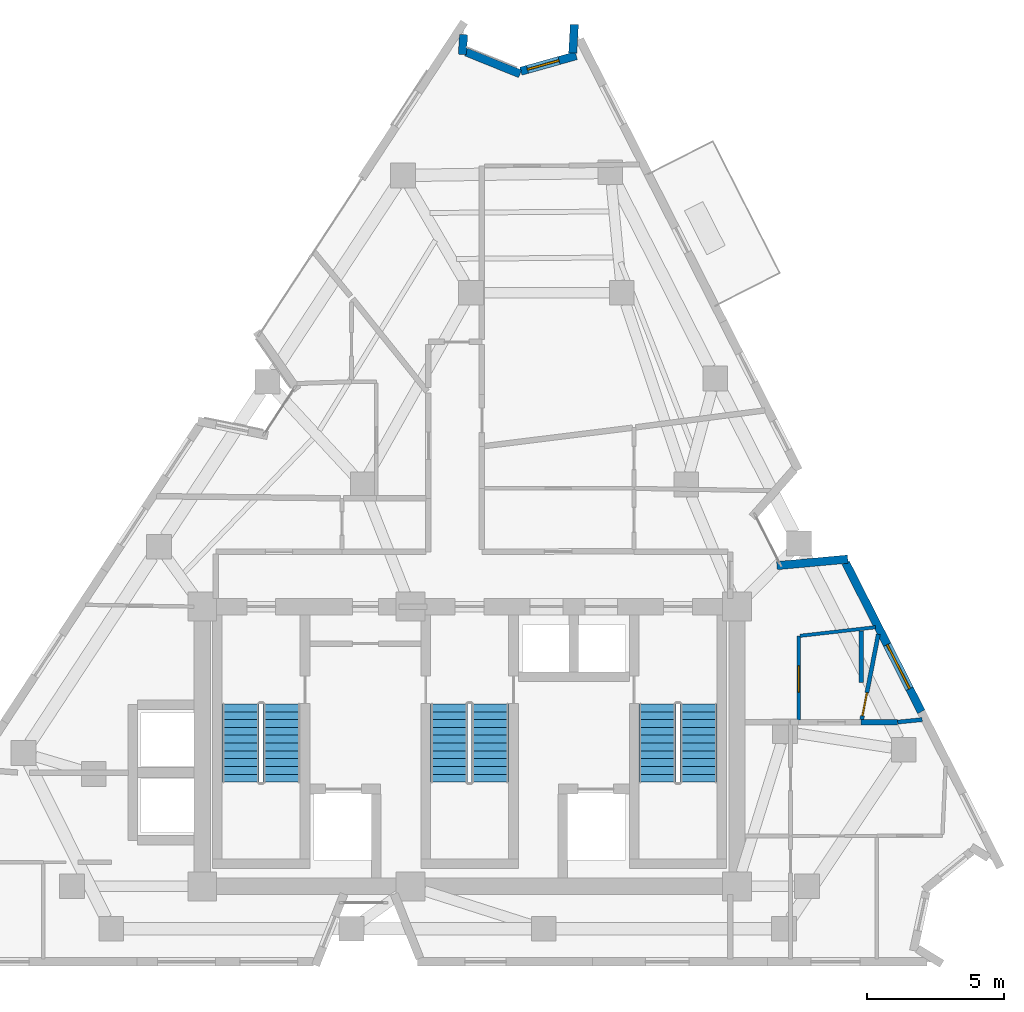
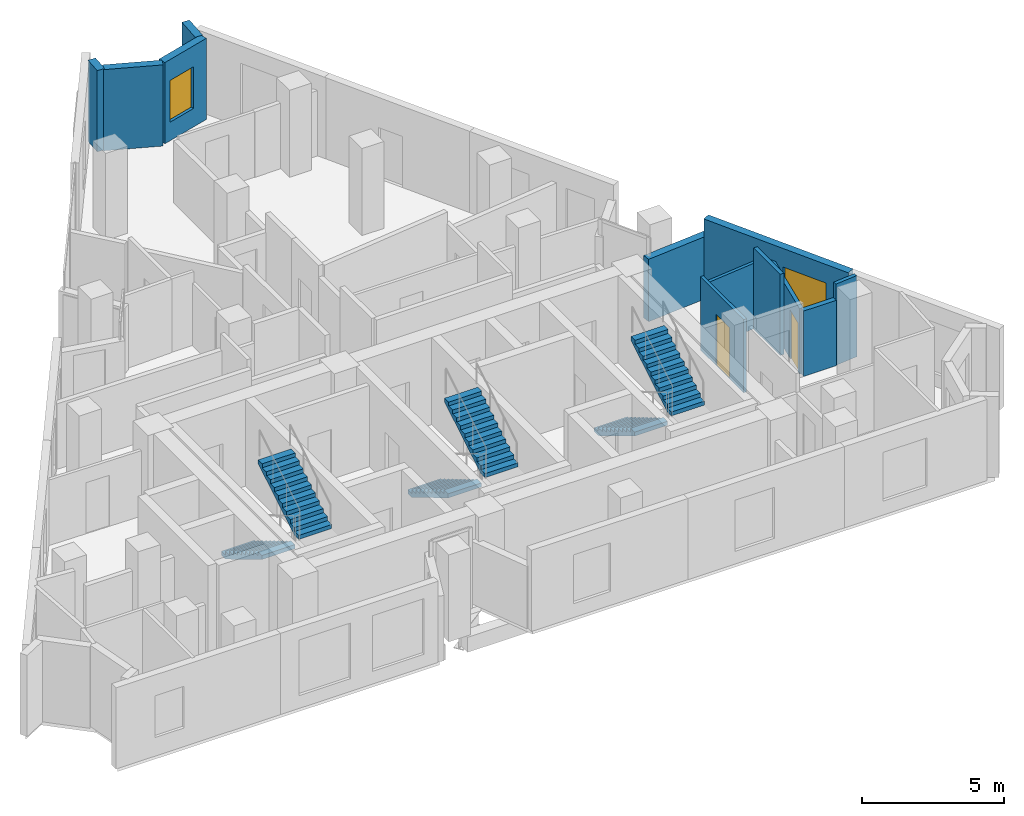
# One storey, part 8 of 9: 12 walls, 6 stair flights, 2 doors, 2 windows, 4 openings, 3 elements without a shape of their own.
"""IFC4 building model written with IfcOpenShell, lengths in metres."""

from ifc_helpers import new_model, si_unit, direction, frame, frame_2d, origin, place, context, subcontext, project, spatial, polyline, rectangle, outline, extrude, material, layer, layer_set, type_object, element, fill, aggregate, save


model = new_model("IFC4")

# Units and contexts
model_context = context("Model", 3, precision=1e-05, world=origin(), true_north=direction((0.0, 1.0)))
body_context = subcontext(model_context, "Body", "Model", "MODEL_VIEW")
ifc_project = project(units=[si_unit("LENGTHUNIT", "METRE"), si_unit("AREAUNIT", "SQUARE_METRE"), si_unit("VOLUMEUNIT", "CUBIC_METRE"), si_unit("PLANEANGLEUNIT", "RADIAN"), si_unit("MASSUNIT", "GRAM", prefix="KILO")], contexts=[model_context])

# Site, building, storey
site_placement = place(None, origin())
site = spatial("IfcSite", under=ifc_project, at=site_placement, CompositionType="ELEMENT")
building_placement = place(site_placement, origin())
building = spatial("IfcBuilding", under=site, at=building_placement, Name="Almagre Mirador Tower", CompositionType="ELEMENT")
storey_placement = place(building_placement, frame((0.0, 0.0, 237.0)))
storey = spatial("IfcBuildingStorey", under=building, at=storey_placement, Name="L61", CompositionType="ELEMENT", Elevation=237.0)

# Walls
ifc_material_1 = material(Name="Precast concrete C50/60", Category="concrete")
ifc_layer_1 = layer(ifc_material_1, 0.300048828125)
ifc_layer_set_1 = layer_set([ifc_layer_1], Name="Precast concrete C50/60")
wall_type_1 = type_object("IfcWallType", Name="WAL-EXT-300", PredefinedType="SOLIDWALL", material=ifc_layer_set_1)
wall_1_placement = place(storey_placement, frame((37.078857421875, 35.607666015625, 0.0), z_axis=(0.0, 0.0, 1.0), x_axis=(-0.056196862548, -0.998419707658, 0.0)))
element("IfcWall", 1, at=wall_1_placement, inside=storey, type_object=wall_type_1, Name="L61 expressed almagre precast frame wall 04", PredefinedType="SOLIDWALL", context=body_context, shape_type="SweptSolid", body=[
    extrude(rectangle(XDim=0.7255859375, YDim=0.300048828125, at=frame_2d((0.36279296875, 0.0))), origin(), (0.0, 0.0, 1.0), 3.5),
])
wall_2_placement = place(storey_placement, frame((37.171142578125, 34.972412109375, 0.0), z_axis=(0.0, 0.0, 1.0), x_axis=(0.927076098221, -0.37487318937, 0.0)))
element("IfcWall", 2, at=wall_2_placement, inside=storey, type_object=wall_type_1, Name="L61 expressed almagre precast frame wall 05", PredefinedType="SOLIDWALL", context=body_context, shape_type="SweptSolid", body=[
    extrude(rectangle(XDim=2.125732421875, YDim=0.300048828125, at=frame_2d((1.06298828125, 0.0))), origin(), (0.0, 0.0, 1.0), 3.5),
])

# Wall, opening, window
wall_3_placement = place(storey_placement, frame((39.166015625, 34.27099609375, 0.0), z_axis=(0.0, 0.0, 1.0), x_axis=(0.962897602702, 0.269867016714, 0.0)))
wall_3 = element("IfcWall", 3, at=wall_3_placement, inside=storey, type_object=wall_type_1, Name="L61 expressed almagre precast frame wall 06", PredefinedType="SOLIDWALL", context=body_context, shape_type="SweptSolid", body=[
    extrude(rectangle(XDim=2.1005859375, YDim=0.300048828125, at=frame_2d((1.05029296875, 0.0))), origin(), (0.0, 0.0, 1.0), 3.5),
])
opening_1_placement = place(wall_3_placement, frame((0.25, 0.0, 0.800048828125)))
opening_1 = element("IfcOpeningElement", 4, at=opening_1_placement, cuts=wall_3, Name="Opening WN-04", PredefinedType="OPENING", context=body_context, shape_type="SweptSolid", body=[
    extrude(rectangle(XDim=1.199951171875, YDim=1.800048828125, at=frame_2d((0.60009765625, 0.89990234375))), frame((0.0, 0.159902, 0.0), z_axis=(0.0, -1.0, 0.0), x_axis=(1.0, 0.0, 0.0)), (0.0, 0.0, 1.0), 0.320049),
])
ifc_material_2 = material(Name="Dark solar-control laminated hurricane glass", Category="glass")
window_type_1 = type_object("IfcWindowType", Name="WIN-1200X1800", PartitioningType="SINGLE_PANEL", PredefinedType="WINDOW", material=ifc_material_2)
window_1_placement = place(opening_1_placement, origin())
window_1 = element("IfcWindow", 5, at=window_1_placement, inside=storey, type_object=window_type_1, Name="L61 recessed hurricane window L61-UK-KT", OverallHeight=1.800048828125, OverallWidth=1.199951171875, PartitioningType="SINGLE_PANEL", PredefinedType="WINDOW", context=body_context, shape_type="SweptSolid", body=[
    extrude(rectangle(XDim=1.199951171875, YDim=1.800048828125, at=frame_2d((0.60009765625, 0.89990234375))), frame((0.0, 0.030029296875, 0.0), z_axis=(0.0, -1.0, 0.0), x_axis=(1.0, 0.0, 0.0)), (0.0, 0.0, 1.0), 0.06005859375),
])
fill(opening_1, window_1)

# Walls
wall_4_placement = place(storey_placement, frame((41.0615234375, 34.934814453125, 0.0), z_axis=(0.0, 0.0, 1.0), x_axis=(0.056067679965, 0.998426970421, 0.0)))
element("IfcWall", 6, at=wall_4_placement, inside=storey, type_object=wall_type_1, Name="L61 expressed almagre precast frame wall 07", PredefinedType="SOLIDWALL", context=body_context, shape_type="SweptSolid", body=[
    extrude(rectangle(XDim=1.040771484375, YDim=0.300048828125, at=frame_2d((0.5205078125, 0.0))), origin(), (0.0, 0.0, 1.0), 3.5),
])
wall_5_placement = place(storey_placement, frame((48.505615234375, 16.244140625, 0.0), z_axis=(0.0, 0.0, 1.0), x_axis=(0.995796977709, 0.091588095218, 0.0)))
element("IfcWall", 7, at=wall_5_placement, inside=storey, type_object=wall_type_1, Name="L61 expressed almagre precast frame wall 12", PredefinedType="SOLIDWALL", context=body_context, shape_type="SweptSolid", body=[
    extrude(rectangle(XDim=2.59375, YDim=0.300048828125, at=frame_2d((1.296875, 0.0))), origin(), (0.0, 0.0, 1.0), 2.68994140625),
])

# Wall, opening, window
wall_6_placement = place(storey_placement, frame((51.010009765625, 16.3486328125, 0.0), z_axis=(0.0, 0.0, 1.0), x_axis=(0.452847757291, -0.891587858103, 0.0)))
wall_6 = element("IfcWall", 8, at=wall_6_placement, inside=storey, type_object=wall_type_1, Name="L61 expressed almagre precast frame wall 13", PredefinedType="SOLIDWALL", context=body_context, shape_type="SweptSolid", body=[
    extrude(rectangle(XDim=6.091552734375, YDim=0.300048828125, at=frame_2d((3.0458984375, 0.0))), origin(), (0.0, 0.0, 1.0), 3.5),
])
opening_2_placement = place(wall_6_placement, frame((3.35009765625, 0.0, 0.60009765625)))
opening_2 = element("IfcOpeningElement", 9, at=opening_2_placement, cuts=wall_6, Name="Opening WN-01", PredefinedType="OPENING", context=body_context, shape_type="SweptSolid", body=[
    extrude(rectangle(XDim=1.800048828125, YDim=2.10009765625, at=frame_2d((0.89990234375, 1.050048828125))), frame((0.0, 0.159902, 0.0), z_axis=(0.0, -1.0, 0.0), x_axis=(1.0, 0.0, 0.0)), (0.0, 0.0, 1.0), 0.320049),
])
ifc_material_3 = material(Name="Dark solar-control laminated hurricane glass", Category="glass")
window_type_2 = type_object("IfcWindowType", Name="WIN-1800X2100", PartitioningType="DOUBLE_PANEL_VERTICAL", PredefinedType="WINDOW", material=ifc_material_3)
window_2_placement = place(opening_2_placement, origin())
window_2 = element("IfcWindow", 10, at=window_2_placement, inside=storey, type_object=window_type_2, Name="L61 recessed hurricane window L61-UE-BT", OverallHeight=2.10009765625, OverallWidth=1.800048828125, PartitioningType="SINGLE_PANEL", PredefinedType="WINDOW", context=body_context, shape_type="SweptSolid", body=[
    extrude(rectangle(XDim=1.800048828125, YDim=2.10009765625, at=frame_2d((0.89990234375, 1.050048828125))), frame((0.0, 0.030029296875, 0.0), z_axis=(0.0, -1.0, 0.0), x_axis=(1.0, 0.0, 0.0)), (0.0, 0.0, 1.0), 0.06005859375),
])
fill(opening_2, window_2)

# Wall, opening, door
ifc_material_4 = material(Name="Gypsum acoustic stud partition", Category="other")
ifc_layer_2 = layer(ifc_material_4, 0.125)
ifc_layer_set_2 = layer_set([ifc_layer_2], Name="Gypsum acoustic stud partition")
wall_type_2 = type_object("IfcWallType", Name="WAL-PRT-125-UTL", PredefinedType="PARTITIONING", material=ifc_layer_set_2)
wall_7_placement = place(storey_placement, frame((49.300048828125, 10.625, 0.0), z_axis=(0.0, 0.0, 1.0), x_axis=(0.0, 1.0, 0.0)))
wall_7 = element("IfcWall", 11, at=wall_7_placement, inside=storey, type_object=wall_type_2, Name="L61 interior partition 042", PredefinedType="PARTITIONING", context=body_context, shape_type="SweptSolid", body=[
    extrude(rectangle(XDim=3.054931640625, YDim=0.125, at=frame_2d((1.52734375, 0.0))), origin(), (0.0, 0.0, 1.0), 3.159912109375),
])
opening_3_placement = place(wall_7_placement, frame((1.010009765625, 0.0, 0.0)))
opening_3 = element("IfcOpeningElement", 12, at=opening_3_placement, cuts=wall_7, Name="Opening UD-01", PredefinedType="OPENING", context=body_context, shape_type="SweptSolid", body=[
    extrude(rectangle(XDim=0.949951171875, YDim=2.199951171875, at=frame_2d((0.47509765625, 1.10009765625))), frame((0.0, 0.0725, 0.0), z_axis=(0.0, -1.0, 0.0), x_axis=(1.0, 0.0, 0.0)), (0.0, 0.0, 1.0), 0.145),
])
ifc_material_5 = material(Name="Solid American walnut timber", Category="wood")
door_type_1 = type_object("IfcDoorType", Name="DOR-UNR-950X2200", OperationType="NOTDEFINED", PredefinedType="DOOR", material=ifc_material_5)
door_1_placement = place(opening_3_placement, origin())
door_1 = element("IfcDoor", 13, at=door_1_placement, inside=storey, type_object=door_type_1, Name="DR-1890 L61 interior door L61-UE-ST to L61-UE-KT", OperationType="SINGLE_SWING_RIGHT", OverallHeight=2.199951171875, OverallWidth=0.949951171875, PredefinedType="DOOR", context=body_context, shape_type="SweptSolid", body=[
    extrude(rectangle(XDim=0.949951171875, YDim=2.199951171875, at=frame_2d((0.47509765625, 1.10009765625))), frame((0.0, 0.02490234375, 0.0), z_axis=(0.0, -1.0, 0.0), x_axis=(1.0, 0.0, 0.0)), (0.0, 0.0, 1.0), 0.050048828125),
])
fill(opening_3, door_1)

# Wall
wall_8_placement = place(storey_placement, frame((49.34716796875, 13.685302734375, 0.0), z_axis=(0.0, 0.0, 1.0), x_axis=(0.993613337674, 0.112838535954, 0.0)))
element("IfcWall", 14, at=wall_8_placement, inside=storey, type_object=wall_type_2, Name="L61 interior partition 043", PredefinedType="PARTITIONING", context=body_context, shape_type="SweptSolid", body=[
    extrude(rectangle(XDim=2.771728515625, YDim=0.125, at=frame_2d((1.3857421875, 0.0))), origin(), (0.0, 0.0, 1.0), 2.820068359375),
])

# Wall, opening, door
ifc_material_6 = material(Name="Gypsum acoustic stud partition", Category="other")
ifc_layer_3 = layer(ifc_material_6, 0.14990234375)
ifc_layer_set_3 = layer_set([ifc_layer_3], Name="Gypsum acoustic stud partition")
wall_type_3 = type_object("IfcWallType", Name="WAL-PRT-150-STD", PredefinedType="PARTITIONING", material=ifc_layer_set_3)
wall_9_placement = place(storey_placement, frame((51.59521484375, 10.62353515625, 0.0), z_axis=(0.0, 0.0, 1.0), x_axis=(0.190970447777, 0.981595786501, 0.0)))
wall_9 = element("IfcWall", 15, at=wall_9_placement, inside=storey, type_object=wall_type_3, Name="L61 interior partition 044", PredefinedType="PARTITIONING", context=body_context, shape_type="SweptSolid", body=[
    extrude(rectangle(XDim=3.1767578125, YDim=0.14990234375, at=frame_2d((1.58837890625, 0.0))), origin(), (0.0, 0.0, 1.0), 2.820068359375),
])
opening_4_placement = place(wall_9_placement, frame((0.154296875, 0.0, 0.0)))
opening_4 = element("IfcOpeningElement", 16, at=opening_4_placement, cuts=wall_9, Name="Opening UD-04", PredefinedType="OPENING", context=body_context, shape_type="SweptSolid", body=[
    extrude(rectangle(XDim=0.85009765625, YDim=2.10009765625, at=frame_2d((0.425048828125, 1.050048828125))), frame((0.0, 0.084951, 0.0), z_axis=(0.0, -1.0, 0.0), x_axis=(1.0, 0.0, 0.0)), (0.0, 0.0, 1.0), 0.169902),
])
ifc_material_7 = material(Name="Moisture-resistant oak timber", Category="wood")
door_type_2 = type_object("IfcDoorType", Name="DOR-UNR-850X2100", OperationType="NOTDEFINED", PredefinedType="DOOR", material=ifc_material_7)
door_2_placement = place(opening_4_placement, origin())
door_2 = element("IfcDoor", 17, at=door_2_placement, inside=storey, type_object=door_type_2, Name="DR-1891 L61 interior door L61-UE-KT to L61-UE-BT", OperationType="SINGLE_SWING_LEFT", OverallHeight=2.10009765625, OverallWidth=0.85009765625, PredefinedType="DOOR", context=body_context, shape_type="SweptSolid", body=[
    extrude(rectangle(XDim=0.85009765625, YDim=2.10009765625, at=frame_2d((0.425048828125, 1.050048828125))), frame((0.0, 0.02490234375, 0.0), z_axis=(0.0, -1.0, 0.0), x_axis=(1.0, 0.0, 0.0)), (0.0, 0.0, 1.0), 0.050048828125),
])
fill(opening_4, door_2)

# Walls
wall_10_placement = place(storey_placement, frame((52.909912109375, 10.5400390625, 0.0), z_axis=(0.0, 0.0, 1.0), x_axis=(0.994977766191, 0.100096177681, 0.0)))
element("IfcWall", 18, at=wall_10_placement, inside=storey, type_object=wall_type_3, Name="L61 interior partition 066", PredefinedType="PARTITIONING", context=body_context, shape_type="SweptSolid", body=[
    extrude(rectangle(XDim=0.8974609375, YDim=0.14990234375, at=frame_2d((0.44873046875, 0.0))), origin(), (0.0, 0.0, 1.0), 3.5),
])
wall_11_placement = place(storey_placement, frame((51.580078125, 11.974853515625, 0.0), z_axis=(0.0, 0.0, 1.0), x_axis=(0.0, 1.0, 0.0)))
element("IfcWall", 19, at=wall_11_placement, inside=storey, type_object=wall_type_3, Name="L61 interior partition 901", PredefinedType="PARTITIONING", context=body_context, shape_type="SweptSolid", body=[
    extrude(rectangle(XDim=1.879638671875, YDim=0.14990234375, at=frame_2d((0.93994140625, 0.0))), origin(), (0.0, 0.0, 1.0), 3.5),
])
ifc_material_8 = material(Name="Gypsum acoustic stud partition", Category="other")
ifc_layer_4 = layer(ifc_material_8, 0.199951171875)
ifc_layer_set_4 = layer_set([ifc_layer_4], Name="Gypsum acoustic stud partition")
wall_type_4 = type_object("IfcWallType", Name="WAL-PRT-200-EI60", PredefinedType="PARTITIONING", material=ifc_layer_set_4)
wall_12_placement = place(storey_placement, frame((52.909912109375, 10.5400390625, 0.0), z_axis=(0.0, 0.0, 1.0), x_axis=(-1.0, 0.0, 0.0)))
element("IfcWall", 20, at=wall_12_placement, inside=storey, type_object=wall_type_4, Name="L61 interior partition 032", PredefinedType="PARTITIONING", context=body_context, shape_type="SweptSolid", body=[
    extrude(rectangle(XDim=1.329833984375, YDim=0.199951171875, at=frame_2d((0.6650390625, 0.0))), origin(), (0.0, 0.0, 1.0), 2.820068359375),
])

# Stair, stair flights
ifc_material_9 = material(Name="Concrete C45/55", Category="concrete")
stair_type = type_object("IfcStairType", Name="STR-DL-3750", PredefinedType="HALF_TURN_STAIR", material=ifc_material_9)
stair_1_placement = place(storey_placement, origin())
stair_1 = element("IfcStair", 21, at=stair_1_placement, inside=storey, type_object=stair_type, Name="L61 Protected exit stair ST-1", PredefinedType="HALF_TURN_STAIR")
ifc_material_10 = material(Name="Concrete C45/55", Category="concrete")
stair_flight_type = type_object("IfcStairFlightType", Name="FLT-DL-3750", PredefinedType="STRAIGHT", material=ifc_material_10)
stair_flight_1_placement = place(storey_placement, frame((28.949951171875, 11.199951171875, 0.0), z_axis=(0.0, 0.0, 1.0), x_axis=(0.0, -1.0, 0.0)))
stair_flight_1 = element("IfcStairFlight", 22, at=stair_flight_1_placement, type_object=stair_flight_type, Name="ST-1 flight 1", NumberOfRisers=11, NumberOfTreads=10, PredefinedType="STRAIGHT", RiserHeight=0.170454545, TreadLength=0.285, context=body_context, shape_type="SweptSolid", body=[
    extrude(outline(polyline([(0.0, 0.0), (0.0, 0.17041015625), (0.284912109375, 0.17041015625), (0.284912109375, 0.3408203125), (0.570068359375, 0.3408203125), (0.570068359375, 0.511474609375), (0.85498046875, 0.511474609375), (0.85498046875, 0.681884765625), (1.139892578125, 0.681884765625), (1.139892578125, 0.852294921875), (1.425048828125, 0.852294921875), (1.425048828125, 1.022705078125), (1.7099609375, 1.022705078125), (1.7099609375, 1.193115234375), (1.9951171875, 1.193115234375), (1.9951171875, 1.363525390625), (2.280029296875, 1.363525390625), (2.280029296875, 1.5341796875), (2.56494140625, 1.5341796875), (2.56494140625, 1.70458984375), (2.85009765625, 1.70458984375), (2.85009765625, 1.875), (2.85009765625, 1.52978515625), (0.2919921875, 0.0), (0.0, 0.0)])), frame((0.0, 0.675048828125, 0.0), z_axis=(0.0, -1.0, 0.0), x_axis=(1.0, 0.0, 0.0)), (0.0, 0.0, 1.0), 1.35009765625),
])
stair_flight_2_placement = place(storey_placement, frame((30.449951171875, 8.35009765625, 1.875), z_axis=(0.0, 0.0, 1.0), x_axis=(0.0, 1.0, 0.0)))
stair_flight_2 = element("IfcStairFlight", 23, at=stair_flight_2_placement, type_object=stair_flight_type, Name="ST-1 flight 2", NumberOfRisers=11, NumberOfTreads=10, PredefinedType="STRAIGHT", RiserHeight=0.170454545, TreadLength=0.285, context=body_context, shape_type="SweptSolid", body=[
    extrude(outline(polyline([(0.0, 0.0), (0.0, 0.17041015625), (0.284912109375, 0.17041015625), (0.284912109375, 0.3408203125), (0.570068359375, 0.3408203125), (0.570068359375, 0.511474609375), (0.85498046875, 0.511474609375), (0.85498046875, 0.681884765625), (1.139892578125, 0.681884765625), (1.139892578125, 0.852294921875), (1.425048828125, 0.852294921875), (1.425048828125, 1.022705078125), (1.7099609375, 1.022705078125), (1.7099609375, 1.193115234375), (1.9951171875, 1.193115234375), (1.9951171875, 1.363525390625), (2.280029296875, 1.363525390625), (2.280029296875, 1.5341796875), (2.56494140625, 1.5341796875), (2.56494140625, 1.70458984375), (2.85009765625, 1.70458984375), (2.85009765625, 1.875), (2.85009765625, 1.52978515625), (0.2919921875, 0.0), (0.0, 0.0)])), frame((0.0, 0.675048828125, 0.0), z_axis=(0.0, -1.0, 0.0), x_axis=(1.0, 0.0, 0.0)), (0.0, 0.0, 1.0), 1.35009765625),
])
aggregate(stair_1, [stair_flight_1, stair_flight_2])

stair_2_placement = place(storey_placement, origin())
stair_2 = element("IfcStair", 24, at=stair_2_placement, inside=storey, type_object=stair_type, Name="L61 Protected exit stair ST-2", PredefinedType="HALF_TURN_STAIR")
stair_flight_3_placement = place(storey_placement, frame((36.550048828125, 11.199951171875, 0.0), z_axis=(0.0, 0.0, 1.0), x_axis=(0.0, -1.0, 0.0)))
stair_flight_3 = element("IfcStairFlight", 25, at=stair_flight_3_placement, type_object=stair_flight_type, Name="ST-2 flight 1", NumberOfRisers=11, NumberOfTreads=10, PredefinedType="STRAIGHT", RiserHeight=0.170454545, TreadLength=0.285, context=body_context, shape_type="SweptSolid", body=[
    extrude(outline(polyline([(0.0, 0.0), (0.0, 0.17041015625), (0.284912109375, 0.17041015625), (0.284912109375, 0.3408203125), (0.570068359375, 0.3408203125), (0.570068359375, 0.511474609375), (0.85498046875, 0.511474609375), (0.85498046875, 0.681884765625), (1.139892578125, 0.681884765625), (1.139892578125, 0.852294921875), (1.425048828125, 0.852294921875), (1.425048828125, 1.022705078125), (1.7099609375, 1.022705078125), (1.7099609375, 1.193115234375), (1.9951171875, 1.193115234375), (1.9951171875, 1.363525390625), (2.280029296875, 1.363525390625), (2.280029296875, 1.5341796875), (2.56494140625, 1.5341796875), (2.56494140625, 1.70458984375), (2.85009765625, 1.70458984375), (2.85009765625, 1.875), (2.85009765625, 1.52978515625), (0.2919921875, 0.0), (0.0, 0.0)])), frame((0.0, 0.675048828125, 0.0), z_axis=(0.0, -1.0, 0.0), x_axis=(1.0, 0.0, 0.0)), (0.0, 0.0, 1.0), 1.35009765625),
])
stair_flight_4_placement = place(storey_placement, frame((38.050048828125, 8.35009765625, 1.875), z_axis=(0.0, 0.0, 1.0), x_axis=(0.0, 1.0, 0.0)))
stair_flight_4 = element("IfcStairFlight", 26, at=stair_flight_4_placement, type_object=stair_flight_type, Name="ST-2 flight 2", NumberOfRisers=11, NumberOfTreads=10, PredefinedType="STRAIGHT", RiserHeight=0.170454545, TreadLength=0.285, context=body_context, shape_type="SweptSolid", body=[
    extrude(outline(polyline([(0.0, 0.0), (0.0, 0.17041015625), (0.284912109375, 0.17041015625), (0.284912109375, 0.3408203125), (0.570068359375, 0.3408203125), (0.570068359375, 0.511474609375), (0.85498046875, 0.511474609375), (0.85498046875, 0.681884765625), (1.139892578125, 0.681884765625), (1.139892578125, 0.852294921875), (1.425048828125, 0.852294921875), (1.425048828125, 1.022705078125), (1.7099609375, 1.022705078125), (1.7099609375, 1.193115234375), (1.9951171875, 1.193115234375), (1.9951171875, 1.363525390625), (2.280029296875, 1.363525390625), (2.280029296875, 1.5341796875), (2.56494140625, 1.5341796875), (2.56494140625, 1.70458984375), (2.85009765625, 1.70458984375), (2.85009765625, 1.875), (2.85009765625, 1.52978515625), (0.2919921875, 0.0), (0.0, 0.0)])), frame((0.0, 0.675048828125, 0.0), z_axis=(0.0, -1.0, 0.0), x_axis=(1.0, 0.0, 0.0)), (0.0, 0.0, 1.0), 1.35009765625),
])
aggregate(stair_2, [stair_flight_3, stair_flight_4])

stair_3_placement = place(storey_placement, origin())
stair_3 = element("IfcStair", 27, at=stair_3_placement, inside=storey, type_object=stair_type, Name="L61 Protected exit stair ST-3", PredefinedType="HALF_TURN_STAIR")
stair_flight_5_placement = place(storey_placement, frame((44.14990234375, 11.199951171875, 0.0), z_axis=(0.0, 0.0, 1.0), x_axis=(0.0, -1.0, 0.0)))
stair_flight_5 = element("IfcStairFlight", 28, at=stair_flight_5_placement, type_object=stair_flight_type, Name="ST-3 flight 1", NumberOfRisers=11, NumberOfTreads=10, PredefinedType="STRAIGHT", RiserHeight=0.170454545, TreadLength=0.285, context=body_context, shape_type="SweptSolid", body=[
    extrude(outline(polyline([(0.0, 0.0), (0.0, 0.17041015625), (0.284912109375, 0.17041015625), (0.284912109375, 0.3408203125), (0.570068359375, 0.3408203125), (0.570068359375, 0.511474609375), (0.85498046875, 0.511474609375), (0.85498046875, 0.681884765625), (1.139892578125, 0.681884765625), (1.139892578125, 0.852294921875), (1.425048828125, 0.852294921875), (1.425048828125, 1.022705078125), (1.7099609375, 1.022705078125), (1.7099609375, 1.193115234375), (1.9951171875, 1.193115234375), (1.9951171875, 1.363525390625), (2.280029296875, 1.363525390625), (2.280029296875, 1.5341796875), (2.56494140625, 1.5341796875), (2.56494140625, 1.70458984375), (2.85009765625, 1.70458984375), (2.85009765625, 1.875), (2.85009765625, 1.52978515625), (0.2919921875, 0.0), (0.0, 0.0)])), frame((0.0, 0.675048828125, 0.0), z_axis=(0.0, -1.0, 0.0), x_axis=(1.0, 0.0, 0.0)), (0.0, 0.0, 1.0), 1.35009765625),
])
stair_flight_6_placement = place(storey_placement, frame((45.64990234375, 8.35009765625, 1.875), z_axis=(0.0, 0.0, 1.0), x_axis=(0.0, 1.0, 0.0)))
stair_flight_6 = element("IfcStairFlight", 29, at=stair_flight_6_placement, type_object=stair_flight_type, Name="ST-3 flight 2", NumberOfRisers=11, NumberOfTreads=10, PredefinedType="STRAIGHT", RiserHeight=0.170454545, TreadLength=0.285, context=body_context, shape_type="SweptSolid", body=[
    extrude(outline(polyline([(0.0, 0.0), (0.0, 0.17041015625), (0.284912109375, 0.17041015625), (0.284912109375, 0.3408203125), (0.570068359375, 0.3408203125), (0.570068359375, 0.511474609375), (0.85498046875, 0.511474609375), (0.85498046875, 0.681884765625), (1.139892578125, 0.681884765625), (1.139892578125, 0.852294921875), (1.425048828125, 0.852294921875), (1.425048828125, 1.022705078125), (1.7099609375, 1.022705078125), (1.7099609375, 1.193115234375), (1.9951171875, 1.193115234375), (1.9951171875, 1.363525390625), (2.280029296875, 1.363525390625), (2.280029296875, 1.5341796875), (2.56494140625, 1.5341796875), (2.56494140625, 1.70458984375), (2.85009765625, 1.70458984375), (2.85009765625, 1.875), (2.85009765625, 1.52978515625), (0.2919921875, 0.0), (0.0, 0.0)])), frame((0.0, 0.675048828125, 0.0), z_axis=(0.0, -1.0, 0.0), x_axis=(1.0, 0.0, 0.0)), (0.0, 0.0, 1.0), 1.35009765625),
])
aggregate(stair_3, [stair_flight_5, stair_flight_6])

save(model, "model.ifc")
